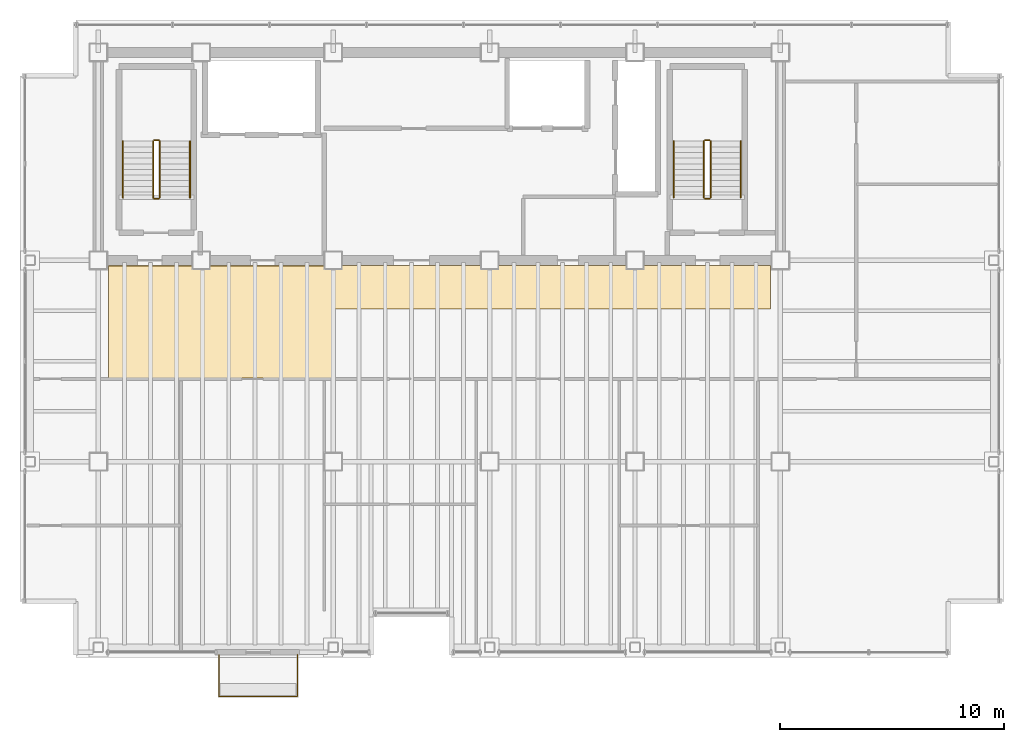
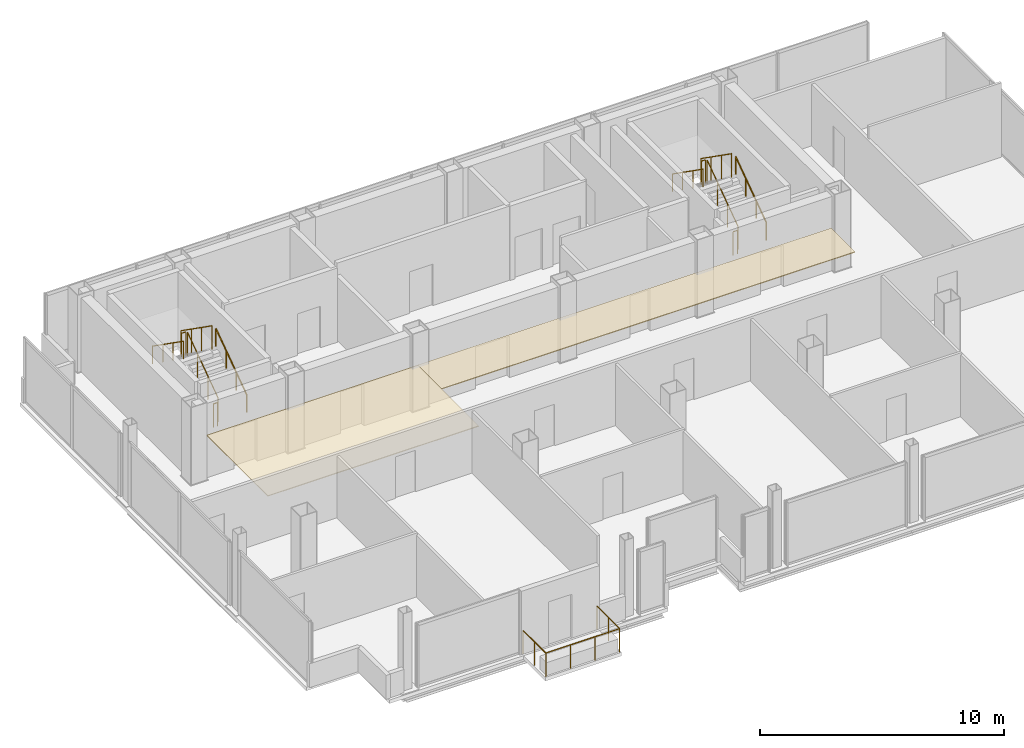
# One storey, part 15 of 15: 13 railings, 2 coverings.
"""IFC4 building model written with IfcOpenShell, lengths in metres."""

from ifc_helpers import new_model, si_unit, direction, frame, origin, origin_2d, place, context, subcontext, project, spatial, polyline, circle, outline, extrude, material, layer, layer_set, type_object, element, save


model = new_model("IFC4")

# Units and contexts
model_context = context("Model", 3, precision=1e-05, world=origin(), true_north=direction((0.0, 1.0)))
body_context = subcontext(model_context, "Body", "Model", "MODEL_VIEW")
ifc_project = project(units=[si_unit("LENGTHUNIT", "METRE"), si_unit("AREAUNIT", "SQUARE_METRE"), si_unit("VOLUMEUNIT", "CUBIC_METRE"), si_unit("PLANEANGLEUNIT", "RADIAN"), si_unit("MASSUNIT", "GRAM", prefix="KILO")], contexts=[model_context])

# Site, building, storey
site_placement = place(None, origin())
site = spatial("IfcSite", under=ifc_project, at=site_placement, CompositionType="ELEMENT")
building_placement = place(site_placement, origin())
building = spatial("IfcBuilding", under=site, at=building_placement, Name="Noeulbin Bourse Tower", CompositionType="ELEMENT")
storey_placement = place(building_placement, frame((0.0, 0.0, 218.89990234375)))
storey = spatial("IfcBuildingStorey", under=building, at=storey_placement, Name="L54", CompositionType="ELEMENT", Elevation=218.89990234375)

# Coverings
ifc_material_1 = material(Name="Perforated Mineral-Fibre Acoustic Tile")
ifc_layer_1 = layer(ifc_material_1, 0.0400390625)
ifc_layer_set_1 = layer_set([ifc_layer_1], Name="Perforated Mineral-Fibre Acoustic Tile")
covering_type_1 = type_object("IfcCoveringType", Name="COV-CEIL-ACT", PredefinedType="CEILING", material=ifc_layer_set_1)
covering_1_placement = place(storey_placement, frame((0.0, 0.0, 2.110107421875)))
element("IfcCovering", 1, at=covering_1_placement, inside=storey, type_object=covering_type_1, Name="Trading Suite Acoustic Ceiling L54", PredefinedType="CEILING", context=body_context, shape_type="SweptSolid", body=[
    extrude(outline(polyline([(13.949951171875, 23.75), (23.949951171875, 23.75), (23.949951171875, 28.75), (13.949951171875, 28.75), (13.949951171875, 23.75)])), origin(), (0.0, 0.0, 1.0), 0.0400390625),
])
ifc_material_2 = material(Name="Linear Anodised Aluminium Baffle Ceiling", Category="aluminium")
ifc_layer_2 = layer(ifc_material_2, 0.050048828125)
ifc_layer_set_2 = layer_set([ifc_layer_2], Name="Linear Anodised Aluminium Baffle Ceiling")
covering_type_2 = type_object("IfcCoveringType", Name="COV-CEIL-MTL", PredefinedType="CEILING", material=ifc_layer_set_2)
covering_2_placement = place(storey_placement, frame((0.0, 0.0, 2.110107421875)))
element("IfcCovering", 2, at=covering_2_placement, inside=storey, type_object=covering_type_2, Name="Corridor Suspended Ceiling L54", PredefinedType="CEILING", context=body_context, shape_type="SweptSolid", body=[
    extrude(outline(polyline([(13.949951171875, 26.820068359375), (43.550048828125, 26.820068359375), (43.550048828125, 28.780029296875), (13.949951171875, 28.780029296875), (13.949951171875, 26.820068359375)])), origin(), (0.0, 0.0, 1.0), 0.0400390625),
])

# Railings
ifc_material_3 = material(Name="Laminated SentryGlas and Stainless Steel 316", Category="steel")
ifc_layer_3 = layer(ifc_material_3, 0.06005859375)
ifc_layer_set_3 = layer_set([ifc_layer_3], Name="Laminated SentryGlas and Stainless Steel 316")
railing_type_1 = type_object("IfcRailingType", Name="RLG-BAL-1200", PredefinedType="BALUSTRADE", material=ifc_layer_set_3)
railing_1_placement = place(storey_placement, frame((18.89990234375, 11.3701171875, 0.0)))
element("IfcRailing", 3, at=railing_1_placement, inside=storey, type_object=railing_type_1, Name="Tree-Balcony Glazed Balustrade L54", PredefinedType="BALUSTRADE", context=body_context, shape_type="SweptSolid", body=[
    extrude(circle(Radius=0.02392578125, at=origin_2d()), frame((0.0, 0.0, 1.17578125), z_axis=(0.0, -1.0, 0.0), x_axis=(1.0, 0.0, 0.0)), (0.0, 0.0, 1.0), 1.8701171875),
    extrude(circle(Radius=0.02392578125, at=origin_2d()), frame((0.0, -1.8701171875, 1.17578125), z_axis=(1.0, 0.0, 0.0), x_axis=(0.0, 1.0, 0.0)), (0.0, 0.0, 1.0), 3.5),
    extrude(circle(Radius=0.02392578125, at=origin_2d()), frame((3.5, -1.8701171875, 1.17578125), z_axis=(0.0, 1.0, 0.0), x_axis=(-1.0, 0.0, 0.0)), (0.0, 0.0, 1.0), 1.8701171875),
    extrude(circle(Radius=0.02099609375, at=origin_2d()), origin(), (0.0, 0.0, 1.0), 1.15185546875),
    extrude(circle(Radius=0.02099609375, at=origin_2d()), frame((0.0, -0.93505859375, 0.0)), (0.0, 0.0, 1.0), 1.15185546875),
    extrude(circle(Radius=0.02099609375, at=origin_2d()), frame((0.0, -1.8701171875, 0.0)), (0.0, 0.0, 1.0), 1.15185546875),
    extrude(circle(Radius=0.02099609375, at=origin_2d()), frame((1.166748046875, -1.8701171875, 0.0)), (0.0, 0.0, 1.0), 1.15185546875),
    extrude(circle(Radius=0.02099609375, at=origin_2d()), frame((2.333251953125, -1.8701171875, 0.0)), (0.0, 0.0, 1.0), 1.15185546875),
    extrude(circle(Radius=0.02099609375, at=origin_2d()), frame((3.5, -1.8701171875, 0.0)), (0.0, 0.0, 1.0), 1.15185546875),
    extrude(circle(Radius=0.02099609375, at=origin_2d()), frame((3.5, -0.93505859375, 0.0)), (0.0, 0.0, 1.0), 1.15185546875),
    extrude(circle(Radius=0.02099609375, at=origin_2d()), frame((3.5, 0.0, 0.0)), (0.0, 0.0, 1.0), 1.15185546875),
])
ifc_material_4 = material(Name="Painted Tubular Steel S355", Category="steel")
ifc_layer_4 = layer(ifc_material_4, 0.048095703125)
ifc_layer_set_4 = layer_set([ifc_layer_4], Name="Painted Tubular Steel S355")
railing_type_2 = type_object("IfcRailingType", Name="RLG-STR-GRD", PredefinedType="GUARDRAIL", material=ifc_layer_set_4)
railing_2_placement = place(storey_placement, frame((16.25, 31.81005859375, 0.177490234375)))
element("IfcRailing", 4, at=railing_2_placement, inside=storey, type_object=railing_type_2, Name="L54 ST-1 stair guard 1", PredefinedType="GUARDRAIL", context=body_context, shape_type="SweptSolid", body=[
    extrude(circle(Radius=0.02392578125, at=origin_2d()), frame((0.0, 0.0, 1.17578125), z_axis=(0.0, 0.817904474719, 0.575354039036), x_axis=(-1.0, 0.0, 0.0)), (0.0, 0.0, 1.0), 3.0810546875),
    extrude(circle(Radius=0.02099609375, at=origin_2d()), origin(), (0.0, 0.0, 1.0), 1.15185546875),
    extrude(circle(Radius=0.02099609375, at=origin_2d()), frame((0.0, 0.840087890625, 0.5908203125)), (0.0, 0.0, 1.0), 1.15185546875),
    extrude(circle(Radius=0.02099609375, at=origin_2d()), frame((0.0, 1.679931640625, 1.181884765625)), (0.0, 0.0, 1.0), 1.15185546875),
    extrude(circle(Radius=0.02099609375, at=origin_2d()), frame((0.0, 2.52001953125, 1.772705078125)), (0.0, 0.0, 1.0), 1.15185546875),
])
railing_3_placement = place(storey_placement, frame((16.199951171875, 34.3798828125, 1.9501953125)))
element("IfcRailing", 5, at=railing_3_placement, inside=storey, type_object=railing_type_2, Name="L54 ST-1 stair guard 2", PredefinedType="GUARDRAIL", context=body_context, shape_type="SweptSolid", body=[
    extrude(circle(Radius=0.02392578125, at=origin_2d()), frame((0.0, 0.0, 1.17578125), z_axis=(-1.0, 0.0, 0.0), x_axis=(0.0, -1.0, 0.0)), (0.0, 0.0, 1.0), 0.199951171875),
    extrude(circle(Radius=0.02099609375, at=origin_2d()), origin(), (0.0, 0.0, 1.0), 1.15185546875),
    extrude(circle(Radius=0.02099609375, at=origin_2d()), frame((-0.199951171875, 0.0, 0.0)), (0.0, 0.0, 1.0), 1.15185546875),
])
railing_4_placement = place(storey_placement, frame((15.949951171875, 34.330078125, 2.12744140625)))
element("IfcRailing", 6, at=railing_4_placement, inside=storey, type_object=railing_type_2, Name="L54 ST-1 stair guard 3", PredefinedType="GUARDRAIL", context=body_context, shape_type="SweptSolid", body=[
    extrude(circle(Radius=0.02392578125, at=origin_2d()), frame((0.0, 0.0, 1.17578125), z_axis=(0.0, -0.817904474719, 0.575354039036), x_axis=(1.0, 0.0, 0.0)), (0.0, 0.0, 1.0), 3.0810546875),
    extrude(circle(Radius=0.02099609375, at=origin_2d()), origin(), (0.0, 0.0, 1.0), 1.15185546875),
    extrude(circle(Radius=0.02099609375, at=origin_2d()), frame((0.0, -0.840087890625, 0.5908203125)), (0.0, 0.0, 1.0), 1.15185546875),
    extrude(circle(Radius=0.02099609375, at=origin_2d()), frame((0.0, -1.679931640625, 1.181884765625)), (0.0, 0.0, 1.0), 1.15185546875),
    extrude(circle(Radius=0.02099609375, at=origin_2d()), frame((0.0, -2.52001953125, 1.772705078125)), (0.0, 0.0, 1.0), 1.15185546875),
])
railing_5_placement = place(storey_placement, frame((16.199951171875, 31.760009765625, 0.0)))
element("IfcRailing", 7, at=railing_5_placement, inside=storey, type_object=railing_type_2, Name="L54 ST-1 stair guard 4", PredefinedType="GUARDRAIL", context=body_context, shape_type="SweptSolid", body=[
    extrude(circle(Radius=0.02392578125, at=origin_2d()), frame((0.0, 0.0, 1.17578125), z_axis=(-1.0, 0.0, 0.0), x_axis=(0.0, -1.0, 0.0)), (0.0, 0.0, 1.0), 0.199951171875),
    extrude(circle(Radius=0.02099609375, at=origin_2d()), origin(), (0.0, 0.0, 1.0), 1.15185546875),
    extrude(circle(Radius=0.02099609375, at=origin_2d()), frame((-0.199951171875, 0.0, 0.0)), (0.0, 0.0, 1.0), 1.15185546875),
])
railing_6_placement = place(storey_placement, frame((40.8798828125, 31.81005859375, 0.177490234375)))
element("IfcRailing", 8, at=railing_6_placement, inside=storey, type_object=railing_type_2, Name="L54 ST-2 stair guard 1", PredefinedType="GUARDRAIL", context=body_context, shape_type="SweptSolid", body=[
    extrude(circle(Radius=0.02392578125, at=origin_2d()), frame((0.0, 0.0, 1.17578125), z_axis=(0.0, 0.817904474719, 0.575354039036), x_axis=(-1.0, 0.0, 0.0)), (0.0, 0.0, 1.0), 3.0810546875),
    extrude(circle(Radius=0.02099609375, at=origin_2d()), origin(), (0.0, 0.0, 1.0), 1.15185546875),
    extrude(circle(Radius=0.02099609375, at=origin_2d()), frame((0.0, 0.840087890625, 0.5908203125)), (0.0, 0.0, 1.0), 1.15185546875),
    extrude(circle(Radius=0.02099609375, at=origin_2d()), frame((0.0, 1.679931640625, 1.181884765625)), (0.0, 0.0, 1.0), 1.15185546875),
    extrude(circle(Radius=0.02099609375, at=origin_2d()), frame((0.0, 2.52001953125, 1.772705078125)), (0.0, 0.0, 1.0), 1.15185546875),
])
railing_7_placement = place(storey_placement, frame((40.830078125, 34.3798828125, 1.9501953125)))
element("IfcRailing", 9, at=railing_7_placement, inside=storey, type_object=railing_type_2, Name="L54 ST-2 stair guard 2", PredefinedType="GUARDRAIL", context=body_context, shape_type="SweptSolid", body=[
    extrude(circle(Radius=0.02392578125, at=origin_2d()), frame((0.0, 0.0, 1.17578125), z_axis=(-1.0, 0.0, 0.0), x_axis=(0.0, -1.0, 0.0)), (0.0, 0.0, 1.0), 0.2001953125),
    extrude(circle(Radius=0.02099609375, at=origin_2d()), origin(), (0.0, 0.0, 1.0), 1.15185546875),
    extrude(circle(Radius=0.02099609375, at=origin_2d()), frame((-0.2001953125, 0.0, 0.0)), (0.0, 0.0, 1.0), 1.15185546875),
])
railing_8_placement = place(storey_placement, frame((40.580078125, 34.330078125, 2.12744140625)))
element("IfcRailing", 10, at=railing_8_placement, inside=storey, type_object=railing_type_2, Name="L54 ST-2 stair guard 3", PredefinedType="GUARDRAIL", context=body_context, shape_type="SweptSolid", body=[
    extrude(circle(Radius=0.02392578125, at=origin_2d()), frame((0.0, 0.0, 1.17578125), z_axis=(0.0, -0.817904474719, 0.575354039036), x_axis=(1.0, 0.0, 0.0)), (0.0, 0.0, 1.0), 3.0810546875),
    extrude(circle(Radius=0.02099609375, at=origin_2d()), origin(), (0.0, 0.0, 1.0), 1.15185546875),
    extrude(circle(Radius=0.02099609375, at=origin_2d()), frame((0.0, -0.840087890625, 0.5908203125)), (0.0, 0.0, 1.0), 1.15185546875),
    extrude(circle(Radius=0.02099609375, at=origin_2d()), frame((0.0, -1.679931640625, 1.181884765625)), (0.0, 0.0, 1.0), 1.15185546875),
    extrude(circle(Radius=0.02099609375, at=origin_2d()), frame((0.0, -2.52001953125, 1.772705078125)), (0.0, 0.0, 1.0), 1.15185546875),
])
railing_9_placement = place(storey_placement, frame((40.830078125, 31.760009765625, 0.0)))
element("IfcRailing", 11, at=railing_9_placement, inside=storey, type_object=railing_type_2, Name="L54 ST-2 stair guard 4", PredefinedType="GUARDRAIL", context=body_context, shape_type="SweptSolid", body=[
    extrude(circle(Radius=0.02392578125, at=origin_2d()), frame((0.0, 0.0, 1.17578125), z_axis=(-1.0, 0.0, 0.0), x_axis=(0.0, -1.0, 0.0)), (0.0, 0.0, 1.0), 0.2001953125),
    extrude(circle(Radius=0.02099609375, at=origin_2d()), origin(), (0.0, 0.0, 1.0), 1.15185546875),
    extrude(circle(Radius=0.02099609375, at=origin_2d()), frame((-0.2001953125, 0.0, 0.0)), (0.0, 0.0, 1.0), 1.15185546875),
])
ifc_material_5 = material(Name="Brushed Stainless Steel 316", Category="steel")
ifc_layer_5 = layer(ifc_material_5, 0.048095703125)
ifc_layer_set_5 = layer_set([ifc_layer_5], Name="Brushed Stainless Steel 316")
railing_type_3 = type_object("IfcRailingType", Name="RLG-STR-HND", PredefinedType="HANDRAIL", material=ifc_layer_set_5)
railing_10_placement = place(storey_placement, frame((17.60009765625, 31.81005859375, 0.177490234375)))
element("IfcRailing", 12, at=railing_10_placement, inside=storey, type_object=railing_type_3, Name="L54 ST-1 stair handrail 1", PredefinedType="HANDRAIL", context=body_context, shape_type="SweptSolid", body=[
    extrude(circle(Radius=0.02392578125, at=origin_2d()), frame((0.0, 0.0, 0.8759765625), z_axis=(0.0, 0.817904474719, 0.575354039036), x_axis=(-1.0, 0.0, 0.0)), (0.0, 0.0, 1.0), 3.0810546875),
    extrude(circle(Radius=0.02099609375, at=origin_2d()), origin(), (0.0, 0.0, 1.0), 0.851806640625),
    extrude(circle(Radius=0.02099609375, at=origin_2d()), frame((0.0, 0.840087890625, 0.5908203125)), (0.0, 0.0, 1.0), 0.851806640625),
    extrude(circle(Radius=0.02099609375, at=origin_2d()), frame((0.0, 1.679931640625, 1.181884765625)), (0.0, 0.0, 1.0), 0.851806640625),
    extrude(circle(Radius=0.02099609375, at=origin_2d()), frame((0.0, 2.52001953125, 1.772705078125)), (0.0, 0.0, 1.0), 0.851806640625),
])
railing_11_placement = place(storey_placement, frame((14.60009765625, 34.330078125, 2.12744140625)))
element("IfcRailing", 13, at=railing_11_placement, inside=storey, type_object=railing_type_3, Name="L54 ST-1 stair handrail 2", PredefinedType="HANDRAIL", context=body_context, shape_type="SweptSolid", body=[
    extrude(circle(Radius=0.02392578125, at=origin_2d()), frame((0.0, 0.0, 0.8759765625), z_axis=(0.0, -0.817904474719, 0.575354039036), x_axis=(1.0, 0.0, 0.0)), (0.0, 0.0, 1.0), 3.0810546875),
    extrude(circle(Radius=0.02099609375, at=origin_2d()), origin(), (0.0, 0.0, 1.0), 0.851806640625),
    extrude(circle(Radius=0.02099609375, at=origin_2d()), frame((0.0, -0.840087890625, 0.5908203125)), (0.0, 0.0, 1.0), 0.851806640625),
    extrude(circle(Radius=0.02099609375, at=origin_2d()), frame((0.0, -1.679931640625, 1.181884765625)), (0.0, 0.0, 1.0), 0.851806640625),
    extrude(circle(Radius=0.02099609375, at=origin_2d()), frame((0.0, -2.52001953125, 1.772705078125)), (0.0, 0.0, 1.0), 0.851806640625),
])
railing_12_placement = place(storey_placement, frame((42.22998046875, 31.81005859375, 0.177490234375)))
element("IfcRailing", 14, at=railing_12_placement, inside=storey, type_object=railing_type_3, Name="L54 ST-2 stair handrail 1", PredefinedType="HANDRAIL", context=body_context, shape_type="SweptSolid", body=[
    extrude(circle(Radius=0.02392578125, at=origin_2d()), frame((0.0, 0.0, 0.8759765625), z_axis=(0.0, 0.817904474719, 0.575354039036), x_axis=(-1.0, 0.0, 0.0)), (0.0, 0.0, 1.0), 3.0810546875),
    extrude(circle(Radius=0.02099609375, at=origin_2d()), origin(), (0.0, 0.0, 1.0), 0.851806640625),
    extrude(circle(Radius=0.02099609375, at=origin_2d()), frame((0.0, 0.840087890625, 0.5908203125)), (0.0, 0.0, 1.0), 0.851806640625),
    extrude(circle(Radius=0.02099609375, at=origin_2d()), frame((0.0, 1.679931640625, 1.181884765625)), (0.0, 0.0, 1.0), 0.851806640625),
    extrude(circle(Radius=0.02099609375, at=origin_2d()), frame((0.0, 2.52001953125, 1.772705078125)), (0.0, 0.0, 1.0), 0.851806640625),
])
railing_13_placement = place(storey_placement, frame((39.22998046875, 34.330078125, 2.12744140625)))
element("IfcRailing", 15, at=railing_13_placement, inside=storey, type_object=railing_type_3, Name="L54 ST-2 stair handrail 2", PredefinedType="HANDRAIL", context=body_context, shape_type="SweptSolid", body=[
    extrude(circle(Radius=0.02392578125, at=origin_2d()), frame((0.0, 0.0, 0.8759765625), z_axis=(0.0, -0.817904474719, 0.575354039036), x_axis=(1.0, 0.0, 0.0)), (0.0, 0.0, 1.0), 3.0810546875),
    extrude(circle(Radius=0.02099609375, at=origin_2d()), origin(), (0.0, 0.0, 1.0), 0.851806640625),
    extrude(circle(Radius=0.02099609375, at=origin_2d()), frame((0.0, -0.840087890625, 0.5908203125)), (0.0, 0.0, 1.0), 0.851806640625),
    extrude(circle(Radius=0.02099609375, at=origin_2d()), frame((0.0, -1.679931640625, 1.181884765625)), (0.0, 0.0, 1.0), 0.851806640625),
    extrude(circle(Radius=0.02099609375, at=origin_2d()), frame((0.0, -2.52001953125, 1.772705078125)), (0.0, 0.0, 1.0), 0.851806640625),
])

save(model, "model.ifc")
